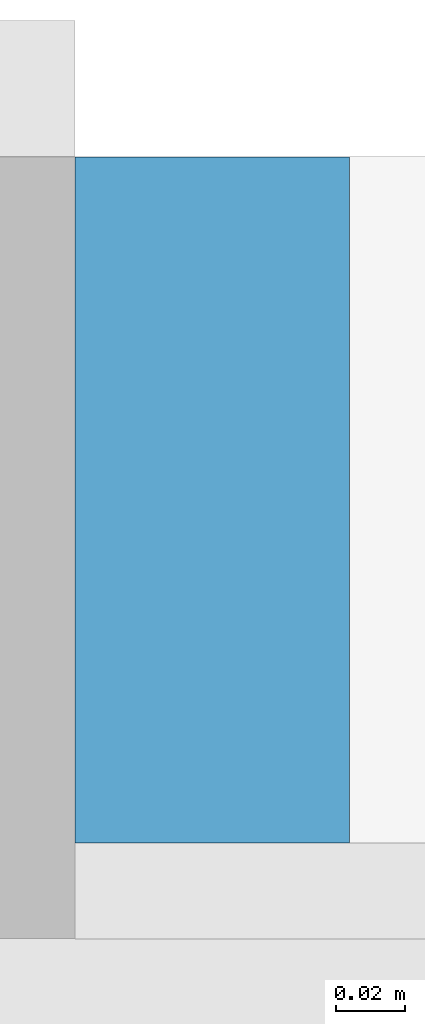
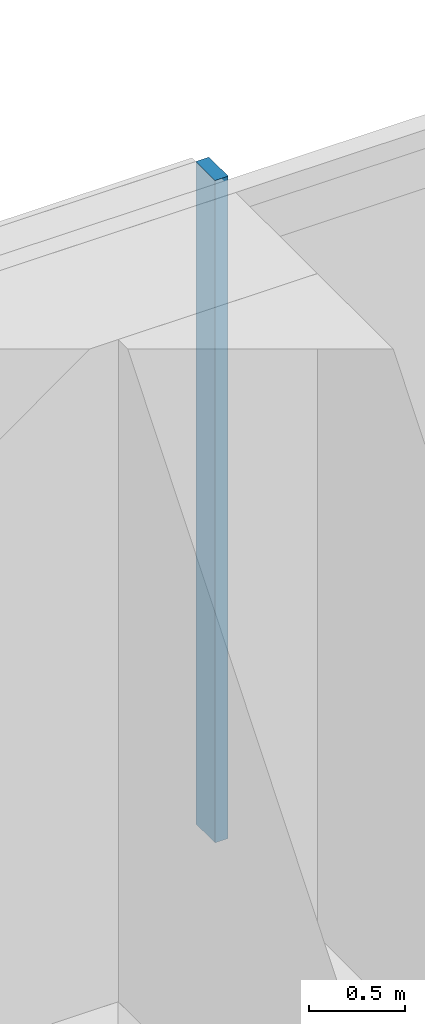
# One storey, part 8 of 23: 1 member, 1 element without a shape of its own.
"""IFC4 building model written with IfcOpenShell, lengths in metres."""

from ifc_helpers import new_model, si_unit, direction, frame, origin, origin_2d, place, context, subcontext, project, spatial, rectangle, extrude, material, material_profile, profile_set, type_object, element, aggregate, save


model = new_model("IFC4")

# Units and contexts
model_context = context("Model", 3, precision=1e-05, world=origin(), true_north=direction((0.0, 1.0)))
body_context = subcontext(model_context, "Body", "Model", "MODEL_VIEW")
ifc_project = project(units=[si_unit("LENGTHUNIT", "METRE"), si_unit("AREAUNIT", "SQUARE_METRE"), si_unit("VOLUMEUNIT", "CUBIC_METRE"), si_unit("PLANEANGLEUNIT", "RADIAN"), si_unit("MASSUNIT", "GRAM", prefix="KILO")], contexts=[model_context])

# Site, building, storey
site_placement = place(None, origin())
site = spatial("IfcSite", under=ifc_project, at=site_placement, CompositionType="ELEMENT")
building_placement = place(site_placement, origin())
building = spatial("IfcBuilding", under=site, at=building_placement, Name="Saffron Gate Tower", CompositionType="ELEMENT")
storey_placement = place(building_placement, frame((0.0, 0.0, 32.699951171875)))
storey = spatial("IfcBuildingStorey", under=building, at=storey_placement, Name="L06", CompositionType="ELEMENT", Elevation=32.699951171875)

# Curtain wall, member
ifc_material = material(Name="Aluminium, bronze anodised", Category="aluminium")
curtain_wall_type = type_object("IfcCurtainWallType", Name="CWS6 curtain wall tall storeys", PredefinedType="NOTDEFINED", material=ifc_material)
curtain_wall_placement = place(storey_placement, origin())
curtain_wall = element("IfcCurtainWall", 1, at=curtain_wall_placement, inside=storey, type_object=curtain_wall_type, Name="CWS6 run 7", PredefinedType="NOTDEFINED")
ifc_material_profile = material_profile(ifc_material, rectangle(XDim=0.199951171875, YDim=0.080078125, at=origin_2d()))
ifc_profile_set = profile_set([ifc_material_profile], Name="Aluminium, bronze anodised")
member_type = type_object("IfcMemberType", Name="CWS6 mullion 80x200", PredefinedType="MULLION", material=ifc_profile_set)
member_placement = place(storey_placement, frame((108.60009765625, 75.5, 0.0), z_axis=(0.0, 0.0, 1.0), x_axis=(0.0, -1.0, 0.0)))
member = element("IfcMember", 2, at=member_placement, type_object=member_type, Name="CWS6 mullion 3", PredefinedType="MULLION", context=body_context, shape_type="SweptSolid", body=[
    extrude(rectangle(XDim=0.199951171875, YDim=0.080078125, at=origin_2d()), origin(), (0.0, 0.0, 1.0), 4.219970703125),
])
aggregate(curtain_wall, [member])

save(model, "model.ifc")
